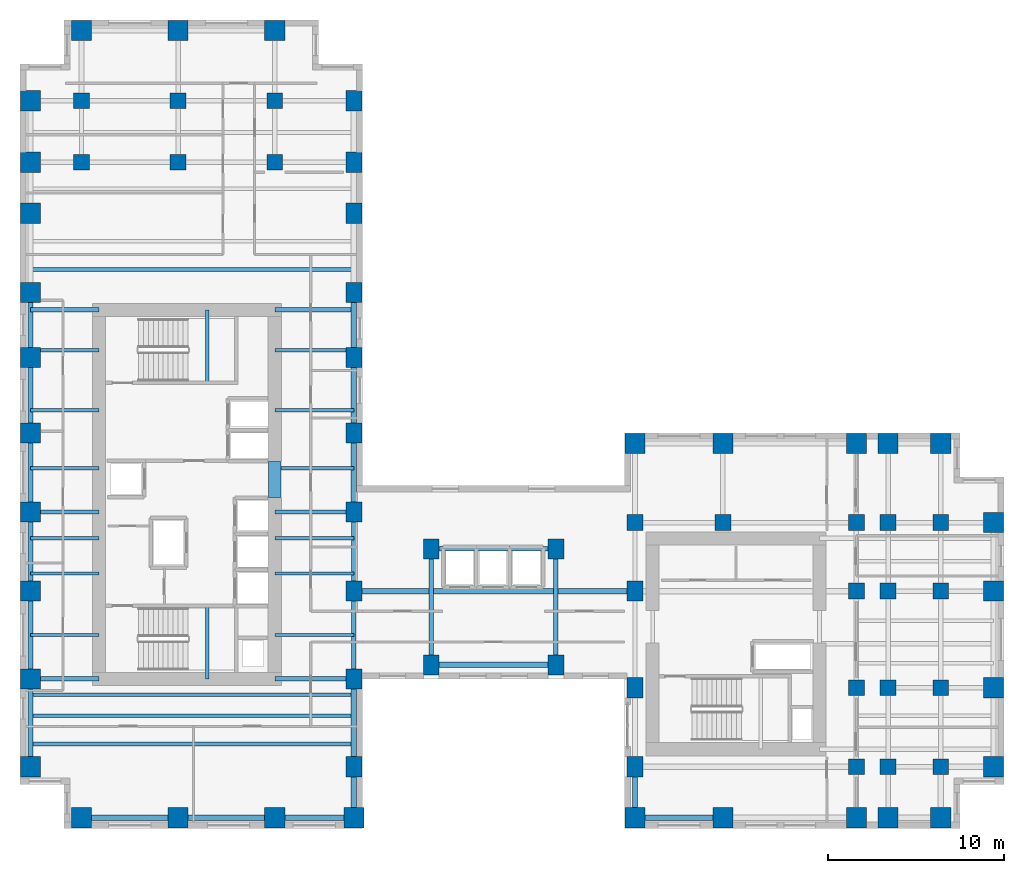
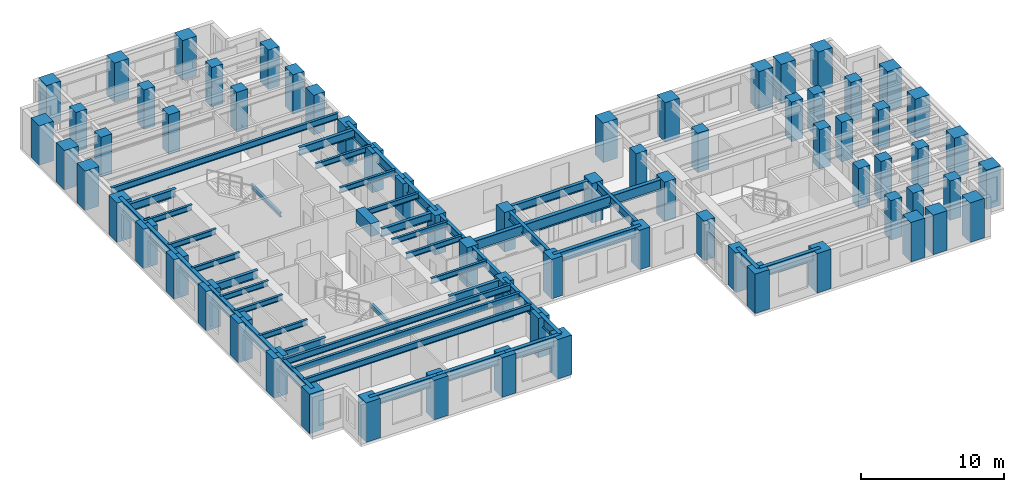
# One storey, part 1 of 12: 68 columns, 48 beams.
"""IFC4 building model written with IfcOpenShell, lengths in metres."""

import ifcopenshell
import ifcopenshell.guid

model = None  # the IFC model being written
_history = None  # IfcOwnerHistory: only IFC2X3 demands one
_inside = {}  # id of a spatial element -> (the spatial element, [elements in it])
_under = {}  # id of a project, library or spatial element -> (it, [spatial elements below it])
_declared = {}  # id of a project -> (the project, [libraries it declares])
_typed = {}  # id of a type object -> (the type object, [elements of that type])
_made_of = {}  # id of a material, layer set ... -> (it, [elements and type objects made of it])


def new_model(schema):
    """Start an empty IFC model of exactly this schema.

    Asked for "IFC4X3", IfcOpenShell would pick the latest addendum, in which some entities
    have other attributes; the version numbers below select the first issue.
    IFC2X3 requires an IfcOwnerHistory on every rooted entity: one is made here for all.
    """
    global model, _history
    if schema == "IFC4X3":
        model = ifcopenshell.file(schema_version=(4, 3, 0, 0))
    else:
        model = ifcopenshell.file(schema=schema)
    _inside.clear()
    _under.clear()
    _declared.clear()
    _typed.clear()
    _made_of.clear()
    _history = None
    if model.schema == "IFC2X3":
        org = make("IfcOrganization", Name="unknown")
        user = make(
            "IfcPersonAndOrganization",
            ThePerson=make("IfcPerson", FamilyName="unknown"),
            TheOrganization=org,
        )
        app = make(
            "IfcApplication",
            ApplicationDeveloper=org,
            Version="unknown",
            ApplicationFullName="unknown",
            ApplicationIdentifier="unknown",
        )
        _history = make(
            "IfcOwnerHistory",
            OwningUser=user,
            OwningApplication=app,
            ChangeAction="ADDED",
            CreationDate=0,
        )
    return model


def make(cls, **values):
    """One entity of the class cls with the attributes given. An attribute that is None is left unset."""
    return model.create_entity(
        cls, **{name: value for name, value in values.items() if value is not None}
    )


def rooted(cls, **values):
    """An entity with a GlobalId (a new one), such as an element, a storey or a relation."""
    return make(cls, GlobalId=ifcopenshell.guid.new(), OwnerHistory=_history, **values)


def si_unit(unit_type, name, prefix=None):
    """IfcSIUnit, for example si_unit("LENGTHUNIT", "METRE", prefix="MILLI")."""
    return make("IfcSIUnit", UnitType=unit_type, Prefix=prefix, Name=name)


def assignment(units):
    """IfcUnitAssignment: the units of a project."""
    return None if units is None else make("IfcUnitAssignment", Units=units)


def point(xyz):
    """IfcCartesianPoint."""
    return None if xyz is None else make("IfcCartesianPoint", Coordinates=xyz)


def direction(xyz):
    """IfcDirection."""
    return None if xyz is None else make("IfcDirection", DirectionRatios=xyz)


def frame(location, z_axis=None, x_axis=None):
    """IfcAxis2Placement3D, a coordinate frame: its origin and axes. An axis left out is left unset."""
    return make(
        "IfcAxis2Placement3D",
        Location=point(location),
        Axis=direction(z_axis),
        RefDirection=direction(x_axis),
    )


def frame_2d(location, x_axis=None):
    """IfcAxis2Placement2D, a coordinate frame in the plane: its origin and x axis."""
    return make(
        "IfcAxis2Placement2D", Location=point(location), RefDirection=direction(x_axis)
    )


def origin():
    """The frame at (0, 0, 0) with its axes left unset."""
    return frame((0.0, 0.0, 0.0))


def origin_2d():
    """The frame at (0, 0) in the plane with its x axis left unset."""
    return frame_2d((0.0, 0.0))


def place(relative_to, where):
    """IfcLocalPlacement: puts the frame where relative to a parent placement (None: the world)."""
    return make(
        "IfcLocalPlacement", PlacementRelTo=relative_to, RelativePlacement=where
    )


def context(
    kind, dimensions, precision=None, world=None, true_north=None, identifier=None
):
    """IfcGeometricRepresentationContext, for example the 3D "Model" context."""
    return make(
        "IfcGeometricRepresentationContext",
        ContextIdentifier=identifier,
        ContextType=kind,
        CoordinateSpaceDimension=dimensions,
        Precision=precision,
        WorldCoordinateSystem=world,
        TrueNorth=true_north,
    )


def subcontext(parent, identifier, kind, view, scale=None):
    """IfcGeometricRepresentationSubContext, for example "Body" below "Model"."""
    return make(
        "IfcGeometricRepresentationSubContext",
        ContextIdentifier=identifier,
        ContextType=kind,
        ParentContext=parent,
        TargetScale=scale,
        TargetView=view,
    )


def project(units=None, contexts=None):
    """IfcProject with its units and contexts."""
    return rooted(
        "IfcProject",
        Name="project",
        RepresentationContexts=contexts,
        UnitsInContext=assignment(units),
    )


def spatial(cls, under=None, at=None, **own):
    """A site, building, storey or space (cls), placed at a placement, below another one or the project."""
    s = rooted(cls, ObjectPlacement=at, **own)
    if under is not None:
        _under.setdefault(under.id(), (under, []))[1].append(s)
    return s


def profile(cls, at=None, kind="AREA", **sizes):
    """A parametric profile (cls). Its sizes go by their IFC names, for example OverallWidth=200.0."""
    return make(cls, ProfileType=kind, Position=at, **sizes)


def rectangle(**sizes):
    """IfcRectangleProfileDef."""
    return profile("IfcRectangleProfileDef", **sizes)


def i_section(**sizes):
    """IfcIShapeProfileDef."""
    return profile("IfcIShapeProfileDef", **sizes)


def extrude(swept, where, along, depth):
    """IfcExtrudedAreaSolid: the profile swept, set in the frame where, extruded along a direction by depth."""
    return make(
        "IfcExtrudedAreaSolid",
        SweptArea=swept,
        Position=where,
        ExtrudedDirection=direction(along),
        Depth=depth,
    )


def shape(context_of_items, identifier, shape_type, items):
    """IfcShapeRepresentation: the items that make up one representation, for example the "Body"."""
    return make(
        "IfcShapeRepresentation",
        ContextOfItems=context_of_items,
        RepresentationIdentifier=identifier,
        RepresentationType=shape_type,
        Items=items,
    )


def source(mapping_origin, context_of_items, identifier, shape_type, items):
    """IfcRepresentationMap: a shape defined once, which mapped items show again and again."""
    return make(
        "IfcRepresentationMap",
        MappingOrigin=mapping_origin,
        MappedRepresentation=shape(context_of_items, identifier, shape_type, items),
    )


def transform(
    local_origin,
    x_axis=None,
    y_axis=None,
    z_axis=None,
    scale=None,
    scale2=None,
    scale3=None,
    uniform=True,
):
    """IfcCartesianTransformationOperator3D, or its non-uniform kind. x_axis, y_axis, z_axis: its Axis1, 2, 3."""
    if uniform:
        return make(
            "IfcCartesianTransformationOperator3D",
            Axis1=direction(x_axis),
            Axis2=direction(y_axis),
            LocalOrigin=point(local_origin),
            Scale=scale,
            Axis3=direction(z_axis),
        )
    return make(
        "IfcCartesianTransformationOperator3DnonUniform",
        Axis1=direction(x_axis),
        Axis2=direction(y_axis),
        LocalOrigin=point(local_origin),
        Scale=scale,
        Axis3=direction(z_axis),
        Scale2=scale2,
        Scale3=scale3,
    )


def mapped(mapping_source, mapping_target):
    """IfcMappedItem: shows the shape of a source again, moved by a transform."""
    return make(
        "IfcMappedItem", MappingSource=mapping_source, MappingTarget=mapping_target
    )


def material(Name=None, Category=None):
    """IfcMaterial."""
    return make("IfcMaterial", Name=Name, Category=Category)


def material_profile(
    of_material, cross_section, Name=None, Category=None, Priority=None
):
    """IfcMaterialProfile: a cross section and its material."""
    return make(
        "IfcMaterialProfile",
        Name=Name,
        Material=of_material,
        Profile=cross_section,
        Priority=Priority,
        Category=Category,
    )


def profile_set(profiles, Name=None, composite=None):
    """IfcMaterialProfileSet."""
    return make(
        "IfcMaterialProfileSet",
        Name=Name,
        MaterialProfiles=profiles,
        CompositeProfile=composite,
    )


def made_of(thing, what):
    """Note that an element or type object is made of a material, layer set ...; save() writes the relation."""
    if what is not None:
        _made_of.setdefault(what.id(), (what, []))[1].append(thing)
    return thing


def type_object(cls, material=None, **own):
    """A type object (cls), such as IfcWallType, which elements share."""
    return made_of(rooted(cls, **own), material)


def element(
    cls,
    number,
    at=None,
    inside=None,
    cuts=None,
    type_object=None,
    material=None,
    context=None,
    identifier="Body",
    shape_type=None,
    held_by="IfcProductDefinitionShape",
    body=None,
    shapes=None,
    **own,
):
    """One element of the class cls, such as IfcWall. Its Tag is "e" and its number.

    at: its placement. inside: the storey or other place that contains it. cuts: it is an
    opening in that element (IfcRelVoidsElement). A single representation is given by context,
    identifier, shape_type and body (its items); several are given by shapes. held_by: the class
    of the entity that holds the representations. save() writes the other relations.
    """
    e = rooted(cls, Tag="e%d" % number, ObjectPlacement=at, **own)
    if body is not None:
        shapes = [shape(context, identifier, shape_type, body)]
    if shapes is not None:
        e.Representation = make(held_by, Representations=shapes)
    if inside is not None:
        _inside.setdefault(inside.id(), (inside, []))[1].append(e)
    if cuts is not None:
        rooted(
            "IfcRelVoidsElement", RelatingBuildingElement=cuts, RelatedOpeningElement=e
        )
    if type_object is not None:
        _typed.setdefault(type_object.id(), (type_object, []))[1].append(e)
    return made_of(e, material)


def aggregate(whole, parts):
    """IfcRelAggregates: a whole, such as a stair, and the parts it consists of."""
    return rooted("IfcRelAggregates", RelatingObject=whole, RelatedObjects=parts)


def save(model, path):
    """Write the relations noted so far, then the file.

    IfcRelAggregates (storeys below a building ...), IfcRelContainedInSpatialStructure (elements
    in a storey), IfcRelDefinesByType, IfcRelAssociatesMaterial and IfcRelDeclares: one each for
    every whole, place, type object, material and project.
    """
    for whole, parts in _under.values():
        aggregate(whole, parts)
    for where, things in _inside.values():
        rooted(
            "IfcRelContainedInSpatialStructure",
            RelatedElements=things,
            RelatingStructure=where,
        )
    for kind, things in _typed.values():
        rooted("IfcRelDefinesByType", RelatedObjects=things, RelatingType=kind)
    for what, things in _made_of.values():
        rooted("IfcRelAssociatesMaterial", RelatedObjects=things, RelatingMaterial=what)
    for by, libraries in _declared.values():
        rooted("IfcRelDeclares", RelatingContext=by, RelatedDefinitions=libraries)
    model.write(path)


model = new_model("IFC4")

# Units and contexts
model_context = context("Model", 3, precision=1e-05, world=origin(), true_north=direction((0.0, 1.0)))
body_context = subcontext(model_context, "Body", "Model", "MODEL_VIEW")
ifc_project = project(units=[si_unit("LENGTHUNIT", "METRE"), si_unit("AREAUNIT", "SQUARE_METRE"), si_unit("VOLUMEUNIT", "CUBIC_METRE"), si_unit("PLANEANGLEUNIT", "RADIAN"), si_unit("MASSUNIT", "GRAM", prefix="KILO")], contexts=[model_context])

# Site, building, storey
site_placement = place(None, origin())
site = spatial("IfcSite", under=ifc_project, at=site_placement, CompositionType="ELEMENT")
building_placement = place(site_placement, origin())
building = spatial("IfcBuilding", under=site, at=building_placement, Name="Kharzan Plaza Tower", CompositionType="ELEMENT")
storey_placement = place(building_placement, frame((0.0, 0.0, 117.0)))
storey = spatial("IfcBuildingStorey", under=building, at=storey_placement, Name="L31", CompositionType="ELEMENT", Elevation=117.0)

# Columns
ifc_material_1 = material(Name="Concrete C50/60", Category="concrete")
ifc_material_profile_1 = material_profile(ifc_material_1, rectangle(XDim=0.89990234375, YDim=0.89990234375, at=origin_2d()), Name="RC-IC900x900")
ifc_profile_set_1 = profile_set([ifc_material_profile_1], Name="Concrete C50/60")
column_type_1 = type_object("IfcColumnType", Name="COL-IC900", PredefinedType="COLUMN", material=ifc_profile_set_1)
shared_shape_1 = source(origin(), body_context, "Body", "SweptSolid", [
    extrude(rectangle(XDim=0.89990234375, YDim=0.89990234375, at=origin_2d()), origin(), (0.0, 0.0, 1.0), 3.3798828125),
])
for number, where, z_axis, x_axis, name in (
    (1, (47.60009765625, 13.5, 0.0), (0.0, 0.0, 1.0), (1.0, 0.0, 0.0), "L31 Structural Column TCBI-135"),
    (2, (47.60009765625, 3.5, 0.0), (0.0, 0.0, 1.0), (1.0, 0.0, 0.0), "L31 Structural Column TCBI-35"),
    (3, (47.60009765625, 8.0, 0.0), (0.0, 0.0, 1.0), (1.0, 0.0, 0.0), "L31 Structural Column TCBI-80"),
    (4, (35.0, 17.39990234375, 0.0), (0.0, 0.0, 1.0), (1.0, 0.0, 0.0), "L31 Structural Column TCBN-350-174"),
    (5, (40.0, 17.39990234375, 0.0), (0.0, 0.0, 1.0), (1.0, 0.0, 0.0), "L31 Structural Column TCBN-400-174"),
    (6, (47.60009765625, 17.39990234375, 0.0), (0.0, 0.0, 1.0), (1.0, 0.0, 0.0), "L31 Structural Column TCBN-476-174"),
    (7, (49.39990234375, 13.5, 0.0), (0.0, 0.0, 1.0), (1.0, 0.0, 0.0), "L31 Structural Column TCE-494-135"),
    (8, (49.39990234375, 17.39990234375, 0.0), (0.0, 0.0, 1.0), (1.0, 0.0, 0.0), "L31 Structural Column TCE-494-174"),
    (9, (49.39990234375, 3.5, 0.0), (0.0, 0.0, 1.0), (1.0, 0.0, 0.0), "L31 Structural Column TCE-494-35"),
    (10, (49.39990234375, 8.0, 0.0), (0.0, 0.0, 1.0), (1.0, 0.0, 0.0), "L31 Structural Column TCE-494-80"),
    (11, (52.39990234375, 13.5, 0.0), (0.0, 0.0, 1.0), (1.0, 0.0, 0.0), "L31 Structural Column TCE-524-135"),
    (12, (52.39990234375, 17.39990234375, 0.0), (0.0, 0.0, 1.0), (1.0, 0.0, 0.0), "L31 Structural Column TCE-524-174"),
    (13, (52.39990234375, 3.5, 0.0), (0.0, 0.0, 1.0), (1.0, 0.0, 0.0), "L31 Structural Column TCE-524-35"),
    (14, (52.39990234375, 8.0, 0.0), (0.0, 0.0, 1.0), (1.0, 0.0, 0.0), "L31 Structural Column TCE-524-80"),
    (15, (14.5, 37.89990234375, 0.0), (0.0, 0.0, 1.0), (1.0, 0.0, 0.0), "L31 Structural Column TCN-145-379"),
    (16, (14.5, 41.39990234375, 0.0), (0.0, 0.0, 1.0), (1.0, 0.0, 0.0), "L31 Structural Column TCN-145-414"),
    (17, (3.5, 37.89990234375, 0.0), (0.0, 0.0, 1.0), (1.0, 0.0, 0.0), "L31 Structural Column TCN-35-379"),
    (18, (3.5, 41.39990234375, 0.0), (0.0, 0.0, 1.0), (1.0, 0.0, 0.0), "L31 Structural Column TCN-35-414"),
    (19, (9.0, 37.89990234375, 0.0), (0.0, 0.0, 1.0), (1.0, 0.0, 0.0), "L31 Structural Column TCN-90-379"),
    (20, (9.0, 41.39990234375, 0.0), (0.0, 0.0, 1.0), (1.0, 0.0, 0.0), "L31 Structural Column TCN-90-414"),
):
    element("IfcColumn", number, at=place(storey_placement, frame(where, z_axis=z_axis, x_axis=x_axis)), inside=storey, type_object=column_type_1, Name=name, PredefinedType="COLUMN", context=body_context, shape_type="MappedRepresentation", body=[
        mapped(shared_shape_1, transform((0.0, 0.0, 0.0), x_axis=(1.0, 0.0, 0.0), y_axis=(0.0, 1.0, 0.0), z_axis=(0.0, 0.0, 1.0))),
    ])
ifc_material_2 = material(Name="Concrete C60/75", Category="concrete")
ifc_material_profile_2 = material_profile(ifc_material_2, rectangle(XDim=0.89990234375, YDim=1.14990234375, at=origin_2d()), Name="RC-SC1150x900")
ifc_profile_set_2 = profile_set([ifc_material_profile_2], Name="Concrete C60/75")
column_type_2 = type_object("IfcColumnType", Name="COL-SC1150", PredefinedType="COLUMN", material=ifc_profile_set_2)
shared_shape_2 = source(origin(), body_context, "Body", "SweptSolid", [
    extrude(rectangle(XDim=0.89990234375, YDim=1.14990234375, at=origin_2d()), origin(), (0.0, 0.0, 1.0), 3.3798828125),
])
for number, where, z_axis, x_axis, name in (
    (21, (19.0, 13.5, 0.0), (0.0, 0.0, 1.0), (1.0, 0.0, 0.0), "L31 Structural Column TCA-135"),
    (22, (19.0, 18.0, 0.0), (0.0, 0.0, 1.0), (1.0, 0.0, 0.0), "L31 Structural Column TCA-180"),
    (23, (19.0, 22.5, 0.0), (0.0, 0.0, 1.0), (1.0, 0.0, 0.0), "L31 Structural Column TCA-225"),
    (24, (19.0, 26.800048828125, 0.0), (0.0, 0.0, 1.0), (1.0, 0.0, 0.0), "L31 Structural Column TCA-268"),
    (25, (19.0, 30.5, 0.0), (0.0, 0.0, 1.0), (1.0, 0.0, 0.0), "L31 Structural Column TCA-305"),
    (26, (19.0, 3.5, 0.0), (0.0, 0.0, 1.0), (1.0, 0.0, 0.0), "L31 Structural Column TCA-35"),
    (27, (19.0, 35.0, 0.0), (0.0, 0.0, 1.0), (1.0, 0.0, 0.0), "L31 Structural Column TCA-350"),
    (28, (19.0, 37.89990234375, 0.0), (0.0, 0.0, 1.0), (1.0, 0.0, 0.0), "L31 Structural Column TCA-379"),
    (29, (19.0, 41.39990234375, 0.0), (0.0, 0.0, 1.0), (1.0, 0.0, 0.0), "L31 Structural Column TCA-414"),
    (30, (19.0, 8.5, 0.0), (0.0, 0.0, 1.0), (1.0, 0.0, 0.0), "L31 Structural Column TCA-85"),
    (31, (35.0, 13.5, 0.0), (0.0, 0.0, 1.0), (1.0, 0.0, 0.0), "L31 Structural Column TCBS-135"),
    (32, (35.0, 3.5, 0.0), (0.0, 0.0, 1.0), (1.0, 0.0, 0.0), "L31 Structural Column TCBS-35"),
    (33, (35.0, 8.0, 0.0), (0.0, 0.0, 1.0), (1.0, 0.0, 0.0), "L31 Structural Column TCBS-80"),
    (34, (23.39990234375, 15.89990234375, 0.0), (0.0, 0.0, 1.0), (1.0, 0.0, 0.0), "L31 Structural Column TCSP-234-159"),
    (35, (23.39990234375, 9.300048828125, 0.0), (0.0, 0.0, 1.0), (1.0, 0.0, 0.0), "L31 Structural Column TCSP-234-93"),
    (36, (30.5, 15.89990234375, 0.0), (0.0, 0.0, 1.0), (1.0, 0.0, 0.0), "L31 Structural Column TCSP-305-159"),
    (37, (30.5, 9.300048828125, 0.0), (0.0, 0.0, 1.0), (1.0, 0.0, 0.0), "L31 Structural Column TCSP-305-93"),
):
    element("IfcColumn", number, at=place(storey_placement, frame(where, z_axis=z_axis, x_axis=x_axis)), inside=storey, type_object=column_type_2, Name=name, PredefinedType="COLUMN", context=body_context, shape_type="MappedRepresentation", body=[
        mapped(shared_shape_2, transform((0.0, 0.0, 0.0), x_axis=(1.0, 0.0, 0.0), y_axis=(0.0, 1.0, 0.0), z_axis=(0.0, 0.0, 1.0))),
    ])
ifc_material_profile_3 = material_profile(ifc_material_2, rectangle(XDim=1.14990234375, YDim=1.14990234375, at=origin_2d()), Name="RC-TC1150x1150")
ifc_profile_set_3 = profile_set([ifc_material_profile_3], Name="Concrete C60/75")
column_type_3 = type_object("IfcColumnType", Name="COL-TC1150", PredefinedType="COLUMN", material=ifc_profile_set_3)
shared_shape_3 = source(origin(), body_context, "Body", "SweptSolid", [
    extrude(rectangle(XDim=1.14990234375, YDim=1.14990234375, at=origin_2d()), origin(), (0.0, 0.0, 1.0), 3.3798828125),
])
for number, where, z_axis, x_axis, name in (
    (38, (35.0, 21.89990234375, 0.0), (0.0, 0.0, 1.0), (1.0, 0.0, 0.0), "L31 Structural Column TCBN-350-219"),
    (39, (40.0, 21.89990234375, 0.0), (0.0, 0.0, 1.0), (1.0, 0.0, 0.0), "L31 Structural Column TCBN-400-219"),
    (40, (47.60009765625, 21.89990234375, 0.0), (0.0, 0.0, 1.0), (1.0, 0.0, 0.0), "L31 Structural Column TCBN-476-219"),
    (41, (49.39990234375, 21.89990234375, 0.0), (0.0, 0.0, 1.0), (1.0, 0.0, 0.0), "L31 Structural Column TCBN-494-219"),
    (42, (52.39990234375, 21.89990234375, 0.0), (0.0, 0.0, 1.0), (1.0, 0.0, 0.0), "L31 Structural Column TCBN-524-219"),
    (43, (55.39990234375, 13.5, 0.0), (0.0, 0.0, 1.0), (1.0, 0.0, 0.0), "L31 Structural Column TCE-554-135"),
    (44, (55.39990234375, 17.39990234375, 0.0), (0.0, 0.0, 1.0), (1.0, 0.0, 0.0), "L31 Structural Column TCE-554-174"),
    (45, (55.39990234375, 3.5, 0.0), (0.0, 0.0, 1.0), (1.0, 0.0, 0.0), "L31 Structural Column TCE-554-35"),
    (46, (55.39990234375, 8.0, 0.0), (0.0, 0.0, 1.0), (1.0, 0.0, 0.0), "L31 Structural Column TCE-554-80"),
    (47, (14.5, 45.39990234375, 0.0), (0.0, 0.0, 1.0), (1.0, 0.0, 0.0), "L31 Structural Column TCN-145-454"),
    (48, (3.5, 45.39990234375, 0.0), (0.0, 0.0, 1.0), (1.0, 0.0, 0.0), "L31 Structural Column TCN-35-454"),
    (49, (9.0, 45.39990234375, 0.0), (0.0, 0.0, 1.0), (1.0, 0.0, 0.0), "L31 Structural Column TCN-90-454"),
    (50, (14.5, 0.60009765625, 0.0), (0.0, 0.0, 1.0), (1.0, 0.0, 0.0), "L31 Structural Column TCS-145"),
    (51, (19.0, 0.60009765625, 0.0), (0.0, 0.0, 1.0), (1.0, 0.0, 0.0), "L31 Structural Column TCS-190"),
    (52, (3.5, 0.60009765625, 0.0), (0.0, 0.0, 1.0), (1.0, 0.0, 0.0), "L31 Structural Column TCS-35"),
    (53, (35.0, 0.60009765625, 0.0), (0.0, 0.0, 1.0), (1.0, 0.0, 0.0), "L31 Structural Column TCS-350"),
    (54, (40.0, 0.60009765625, 0.0), (0.0, 0.0, 1.0), (1.0, 0.0, 0.0), "L31 Structural Column TCS-400"),
    (55, (47.60009765625, 0.60009765625, 0.0), (0.0, 0.0, 1.0), (1.0, 0.0, 0.0), "L31 Structural Column TCS-476"),
    (56, (49.39990234375, 0.60009765625, 0.0), (0.0, 0.0, 1.0), (1.0, 0.0, 0.0), "L31 Structural Column TCS-494"),
    (57, (52.39990234375, 0.60009765625, 0.0), (0.0, 0.0, 1.0), (1.0, 0.0, 0.0), "L31 Structural Column TCS-524"),
    (58, (9.0, 0.60009765625, 0.0), (0.0, 0.0, 1.0), (1.0, 0.0, 0.0), "L31 Structural Column TCS-90"),
    (59, (0.60009765625, 13.5, 0.0), (0.0, 0.0, 1.0), (1.0, 0.0, 0.0), "L31 Structural Column TCW-135"),
    (60, (0.60009765625, 18.0, 0.0), (0.0, 0.0, 1.0), (1.0, 0.0, 0.0), "L31 Structural Column TCW-180"),
    (61, (0.60009765625, 22.5, 0.0), (0.0, 0.0, 1.0), (1.0, 0.0, 0.0), "L31 Structural Column TCW-225"),
    (62, (0.60009765625, 26.800048828125, 0.0), (0.0, 0.0, 1.0), (1.0, 0.0, 0.0), "L31 Structural Column TCW-268"),
    (63, (0.60009765625, 30.5, 0.0), (0.0, 0.0, 1.0), (1.0, 0.0, 0.0), "L31 Structural Column TCW-305"),
    (64, (0.60009765625, 3.5, 0.0), (0.0, 0.0, 1.0), (1.0, 0.0, 0.0), "L31 Structural Column TCW-35"),
    (65, (0.60009765625, 35.0, 0.0), (0.0, 0.0, 1.0), (1.0, 0.0, 0.0), "L31 Structural Column TCW-350"),
    (66, (0.60009765625, 37.89990234375, 0.0), (0.0, 0.0, 1.0), (1.0, 0.0, 0.0), "L31 Structural Column TCW-379"),
    (67, (0.60009765625, 41.39990234375, 0.0), (0.0, 0.0, 1.0), (1.0, 0.0, 0.0), "L31 Structural Column TCW-414"),
    (68, (0.60009765625, 8.5, 0.0), (0.0, 0.0, 1.0), (1.0, 0.0, 0.0), "L31 Structural Column TCW-85"),
):
    element("IfcColumn", number, at=place(storey_placement, frame(where, z_axis=z_axis, x_axis=x_axis)), inside=storey, type_object=column_type_3, Name=name, PredefinedType="COLUMN", context=body_context, shape_type="MappedRepresentation", body=[
        mapped(shared_shape_3, transform((0.0, 0.0, 0.0), x_axis=(1.0, 0.0, 0.0), y_axis=(0.0, 1.0, 0.0), z_axis=(0.0, 0.0, 1.0))),
    ])

# Beams
ifc_material_profile_4 = material_profile(ifc_material_2, rectangle(XDim=0.699951171875, YDim=1.10009765625, at=origin_2d()), Name="RC-CB1100x700")
ifc_profile_set_4 = profile_set([ifc_material_profile_4], Name="Concrete C60/75")
beam_type_1 = type_object("IfcBeamType", Name="BM-RCCB1100", PredefinedType="LINTEL", material=ifc_profile_set_4)
shared_shape_4 = source(origin(), body_context, "Body", "SweptSolid", [
    extrude(rectangle(XDim=0.699951171875, YDim=1.10009765625, at=origin_2d()), origin(), (0.0, 0.0, 1.0), 2.059814453125),
])
beam_1_placement = place(storey_placement, frame((14.5, 18.820068359375, 2.830078125), z_axis=(0.0, 1.0, 0.0), x_axis=(-1.0, 0.0, 0.0)))
element("IfcBeam", 69, at=beam_1_placement, inside=storey, type_object=beam_type_1, Name="L31 CORE-A RC coupling beam CB1", PredefinedType="LINTEL", context=body_context, shape_type="MappedRepresentation", body=[
    mapped(shared_shape_4, transform((0.0, 0.0, 0.0), x_axis=(1.0, 0.0, 0.0), y_axis=(0.0, 1.0, 0.0), z_axis=(0.0, 0.0, 1.0))),
])
ifc_material_3 = material(Name="Steel S355", Category="steel")
ifc_material_profile_5 = material_profile(ifc_material_3, i_section(OverallWidth=0.205078125, OverallDepth=0.35400390625, WebThickness=0.009521484375, FlangeThickness=0.016845703125, at=origin_2d()), Name="W360x79")
ifc_profile_set_5 = profile_set([ifc_material_profile_5], Name="Steel S355")
beam_type_2 = type_object("IfcBeamType", Name="BM-LNT360", PredefinedType="LINTEL", material=ifc_profile_set_5)
shared_shape_5 = source(origin(), body_context, "Body", "SweptSolid", [
    extrude(i_section(OverallWidth=0.205078125, OverallDepth=0.35400390625, WebThickness=0.009521484375, FlangeThickness=0.016845703125, at=origin_2d()), origin(), (0.0, 0.0, 1.0), 4.155029296875),
])
for number, where, z_axis, x_axis, name in (
    (70, (10.64990234375, 8.5, 1.423095703125), (0.0, 1.0, 0.0), (-1.0, 0.0, 0.0), "L31 Stair ST-1 Half-Landing Beam"),
    (71, (10.64990234375, 25.344970703125, 1.423095703125), (0.0, 1.0, 0.0), (-1.0, 0.0, 0.0), "L31 Stair ST-2 Half-Landing Beam"),
):
    element("IfcBeam", number, at=place(storey_placement, frame(where, z_axis=z_axis, x_axis=x_axis)), inside=storey, type_object=beam_type_2, Name=name, PredefinedType="LINTEL", context=body_context, shape_type="MappedRepresentation", body=[
        mapped(shared_shape_5, transform((0.0, 0.0, 0.0), x_axis=(1.0, 0.0, 0.0), y_axis=(0.0, 1.0, 0.0), z_axis=(0.0, 0.0, 1.0))),
    ])
ifc_material_profile_6 = material_profile(ifc_material_3, i_section(OverallWidth=0.304931640625, OverallDepth=0.9189453125, WebThickness=0.017333984375, FlangeThickness=0.02783203125, at=origin_2d()), Name="W920x253")
ifc_profile_set_6 = profile_set([ifc_material_profile_6], Name="Steel S355")
beam_type_3 = type_object("IfcBeamType", Name="BM-FG920B", PredefinedType="BEAM", material=ifc_profile_set_6)
shared_shape_6 = source(origin(), body_context, "Body", "SweptSolid", [
    extrude(i_section(OverallWidth=0.304931640625, OverallDepth=0.9189453125, WebThickness=0.017333984375, FlangeThickness=0.02783203125, at=origin_2d()), origin(), (0.0, 0.0, 1.0), 16.0),
])
beam_2_placement = place(storey_placement, frame((19.0, 13.5, 2.92041015625), z_axis=(1.0, 0.0, 0.0), x_axis=(0.0, 1.0, 0.0)))
element("IfcBeam", 72, at=beam_2_placement, inside=storey, type_object=beam_type_3, Name="L31 Primary Floor Girder", PredefinedType="BEAM", context=body_context, shape_type="MappedRepresentation", body=[
    mapped(shared_shape_6, transform((0.0, 0.0, 0.0), x_axis=(1.0, 0.0, 0.0), y_axis=(0.0, 1.0, 0.0), z_axis=(0.0, 0.0, 1.0))),
])
ifc_material_profile_7 = material_profile(ifc_material_3, i_section(OverallWidth=0.2099609375, OverallDepth=0.537109375, WebThickness=0.010986328125, FlangeThickness=0.017333984375, at=origin_2d()), Name="W530x101")
ifc_profile_set_7 = profile_set([ifc_material_profile_7], Name="Steel S355")
beam_type_4 = type_object("IfcBeamType", Name="BM-JST530B", PredefinedType="JOIST", material=ifc_profile_set_7)
shared_shape_7 = source(origin(), body_context, "Body", "SweptSolid", [
    extrude(i_section(OverallWidth=0.2099609375, OverallDepth=0.537109375, WebThickness=0.010986328125, FlangeThickness=0.017333984375, at=origin_2d()), origin(), (0.0, 0.0, 1.0), 18.39990234375),
])
for number, where, z_axis, x_axis, name in (
    (73, (0.60009765625, 4.800048828125, 3.111572265625), (1.0, 0.0, 0.0), (0.0, 1.0, 0.0), "L31 Wing A Composite Joist 01"),
    (74, (0.60009765625, 6.39990234375, 3.111572265625), (1.0, 0.0, 0.0), (0.0, 1.0, 0.0), "L31 Wing A Composite Joist 02"),
    (75, (0.60009765625, 7.60009765625, 3.111572265625), (1.0, 0.0, 0.0), (0.0, 1.0, 0.0), "L31 Wing A Composite Joist 03"),
    (76, (0.60009765625, 31.800048828125, 3.111572265625), (1.0, 0.0, 0.0), (0.0, 1.0, 0.0), "L31 Wing A Composite Joist 04"),
):
    element("IfcBeam", number, at=place(storey_placement, frame(where, z_axis=z_axis, x_axis=x_axis)), inside=storey, type_object=beam_type_4, Name=name, PredefinedType="JOIST", context=body_context, shape_type="MappedRepresentation", body=[
        mapped(shared_shape_7, transform((0.0, 0.0, 0.0), x_axis=(1.0, 0.0, 0.0), y_axis=(0.0, 1.0, 0.0), z_axis=(0.0, 0.0, 1.0))),
    ])
ifc_material_profile_8 = material_profile(ifc_material_3, i_section(OverallWidth=0.194091796875, OverallDepth=0.468994140625, WebThickness=0.011474609375, FlangeThickness=0.0205078125, at=origin_2d()), Name="W460x106")
ifc_profile_set_8 = profile_set([ifc_material_profile_8], Name="Steel S355")
beam_type_5 = type_object("IfcBeamType", Name="BM-JST460", PredefinedType="JOIST", material=ifc_profile_set_8)
shared_shape_8 = source(origin(), body_context, "Body", "SweptSolid", [
    extrude(i_section(OverallWidth=0.194091796875, OverallDepth=0.468994140625, WebThickness=0.011474609375, FlangeThickness=0.0205078125, at=origin_2d()), origin(), (0.0, 0.0, 1.0), 4.5),
])
for number, where, z_axis, x_axis, name in (
    (77, (14.5, 11.0, 3.1455078125), (1.0, 0.0, 0.0), (0.0, 1.0, 0.0), "L31 Wing A East Infill Joist 1"),
    (78, (14.5, 14.5, 3.1455078125), (1.0, 0.0, 0.0), (0.0, 1.0, 0.0), "L31 Wing A East Infill Joist 2"),
    (79, (14.5, 16.5, 3.1455078125), (1.0, 0.0, 0.0), (0.0, 1.0, 0.0), "L31 Wing A East Infill Joist 3"),
    (80, (14.5, 20.5, 3.1455078125), (1.0, 0.0, 0.0), (0.0, 1.0, 0.0), "L31 Wing A East Infill Joist 4"),
    (81, (14.5, 23.800048828125, 3.1455078125), (1.0, 0.0, 0.0), (0.0, 1.0, 0.0), "L31 Wing A East Infill Joist 5"),
    (82, (14.5, 27.199951171875, 3.1455078125), (1.0, 0.0, 0.0), (0.0, 1.0, 0.0), "L31 Wing A East Infill Joist 6"),
):
    element("IfcBeam", number, at=place(storey_placement, frame(where, z_axis=z_axis, x_axis=x_axis)), inside=storey, type_object=beam_type_5, Name=name, PredefinedType="JOIST", context=body_context, shape_type="MappedRepresentation", body=[
        mapped(shared_shape_8, transform((0.0, 0.0, 0.0), x_axis=(1.0, 0.0, 0.0), y_axis=(0.0, 1.0, 0.0), z_axis=(0.0, 0.0, 1.0))),
    ])
shared_shape_9 = source(origin(), body_context, "Body", "SweptSolid", [
    extrude(i_section(OverallWidth=0.194091796875, OverallDepth=0.468994140625, WebThickness=0.011474609375, FlangeThickness=0.0205078125, at=origin_2d()), origin(), (0.0, 0.0, 1.0), 3.89990234375),
])
for number, where, z_axis, x_axis, name in (
    (83, (0.60009765625, 11.0, 3.1455078125), (1.0, 0.0, 0.0), (0.0, 1.0, 0.0), "L31 Wing A West Infill Joist 1"),
    (84, (0.60009765625, 14.5, 3.1455078125), (1.0, 0.0, 0.0), (0.0, 1.0, 0.0), "L31 Wing A West Infill Joist 2"),
    (85, (0.60009765625, 16.5, 3.1455078125), (1.0, 0.0, 0.0), (0.0, 1.0, 0.0), "L31 Wing A West Infill Joist 3"),
    (86, (0.60009765625, 20.5, 3.1455078125), (1.0, 0.0, 0.0), (0.0, 1.0, 0.0), "L31 Wing A West Infill Joist 4"),
    (87, (0.60009765625, 23.800048828125, 3.1455078125), (1.0, 0.0, 0.0), (0.0, 1.0, 0.0), "L31 Wing A West Infill Joist 5"),
    (88, (0.60009765625, 27.199951171875, 3.1455078125), (1.0, 0.0, 0.0), (0.0, 1.0, 0.0), "L31 Wing A West Infill Joist 6"),
):
    element("IfcBeam", number, at=place(storey_placement, frame(where, z_axis=z_axis, x_axis=x_axis)), inside=storey, type_object=beam_type_5, Name=name, PredefinedType="JOIST", context=body_context, shape_type="MappedRepresentation", body=[
        mapped(shared_shape_9, transform((0.0, 0.0, 0.0), x_axis=(1.0, 0.0, 0.0), y_axis=(0.0, 1.0, 0.0), z_axis=(0.0, 0.0, 1.0))),
    ])
ifc_material_profile_9 = material_profile(ifc_material_3, i_section(OverallWidth=0.25390625, OverallDepth=0.68798828125, WebThickness=0.01318359375, FlangeThickness=0.02099609375, at=origin_2d()), Name="W690x152")
ifc_profile_set_9 = profile_set([ifc_material_profile_9], Name="Steel S355")
beam_type_6 = type_object("IfcBeamType", Name="BM-FG690B", PredefinedType="BEAM", material=ifc_profile_set_9)
shared_shape_10 = source(origin(), body_context, "Body", "SweptSolid", [
    extrude(i_section(OverallWidth=0.25390625, OverallDepth=0.68798828125, WebThickness=0.01318359375, FlangeThickness=0.02099609375, at=origin_2d()), origin(), (0.0, 0.0, 1.0), 4.5),
])
for number, where, z_axis, x_axis, name in (
    (89, (14.5, 8.5, 3.035888671875), (1.0, 0.0, 0.0), (0.0, 1.0, 0.0), "L31 Core-A East Floor Girder 1"),
    (90, (14.5, 18.0, 3.035888671875), (1.0, 0.0, 0.0), (0.0, 1.0, 0.0), "L31 Core-A East Floor Girder 2"),
    (91, (14.5, 29.5, 3.035888671875), (1.0, 0.0, 0.0), (0.0, 1.0, 0.0), "L31 Core-A East Floor Girder 3"),
    (92, (19.0, 13.5, 3.035888671875), (0.0, 1.0, 0.0), (-1.0, 0.0, 0.0), "L31 Interior Frame Girder"),
):
    element("IfcBeam", number, at=place(storey_placement, frame(where, z_axis=z_axis, x_axis=x_axis)), inside=storey, type_object=beam_type_6, Name=name, PredefinedType="BEAM", context=body_context, shape_type="MappedRepresentation", body=[
        mapped(shared_shape_10, transform((0.0, 0.0, 0.0), x_axis=(1.0, 0.0, 0.0), y_axis=(0.0, 1.0, 0.0), z_axis=(0.0, 0.0, 1.0))),
    ])
shared_shape_11 = source(origin(), body_context, "Body", "SweptSolid", [
    extrude(i_section(OverallWidth=0.25390625, OverallDepth=0.68798828125, WebThickness=0.01318359375, FlangeThickness=0.02099609375, at=origin_2d()), origin(), (0.0, 0.0, 1.0), 3.89990234375),
])
for number, where, z_axis, x_axis, name in (
    (93, (0.60009765625, 8.5, 3.035888671875), (1.0, 0.0, 0.0), (0.0, 1.0, 0.0), "L31 Core-A West Floor Girder 1"),
    (94, (0.60009765625, 18.0, 3.035888671875), (1.0, 0.0, 0.0), (0.0, 1.0, 0.0), "L31 Core-A West Floor Girder 2"),
    (95, (0.60009765625, 29.5, 3.035888671875), (1.0, 0.0, 0.0), (0.0, 1.0, 0.0), "L31 Core-A West Floor Girder 3"),
):
    element("IfcBeam", number, at=place(storey_placement, frame(where, z_axis=z_axis, x_axis=x_axis)), inside=storey, type_object=beam_type_6, Name=name, PredefinedType="BEAM", context=body_context, shape_type="MappedRepresentation", body=[
        mapped(shared_shape_11, transform((0.0, 0.0, 0.0), x_axis=(1.0, 0.0, 0.0), y_axis=(0.0, 1.0, 0.0), z_axis=(0.0, 0.0, 1.0))),
    ])
shared_shape_12 = source(origin(), body_context, "Body", "SweptSolid", [
    extrude(i_section(OverallWidth=0.25390625, OverallDepth=0.68798828125, WebThickness=0.01318359375, FlangeThickness=0.02099609375, at=origin_2d()), origin(), (0.0, 0.0, 1.0), 5.0),
])
beam_3_placement = place(storey_placement, frame((19.0, 8.5, 3.035888671875), z_axis=(0.0, 1.0, 0.0), x_axis=(-1.0, 0.0, 0.0)))
element("IfcBeam", 96, at=beam_3_placement, inside=storey, type_object=beam_type_6, Name="L31 Interior Frame Girder", PredefinedType="BEAM", context=body_context, shape_type="MappedRepresentation", body=[
    mapped(shared_shape_12, transform((0.0, 0.0, 0.0), x_axis=(1.0, 0.0, 0.0), y_axis=(0.0, 1.0, 0.0), z_axis=(0.0, 0.0, 1.0))),
])
shared_shape_13 = source(origin(), body_context, "Body", "SweptSolid", [
    extrude(i_section(OverallWidth=0.25390625, OverallDepth=0.68798828125, WebThickness=0.01318359375, FlangeThickness=0.02099609375, at=origin_2d()), origin(), (0.0, 0.0, 1.0), 6.599853515625),
])
for number, where, z_axis, x_axis, name in (
    (97, (23.39990234375, 9.300048828125, 3.035888671875), (0.0, 1.0, 0.0), (-1.0, 0.0, 0.0), "L31 Interior Frame Girder"),
    (98, (30.5, 9.300048828125, 3.035888671875), (0.0, 1.0, 0.0), (-1.0, 0.0, 0.0), "L31 Interior Frame Girder"),
):
    element("IfcBeam", number, at=place(storey_placement, frame(where, z_axis=z_axis, x_axis=x_axis)), inside=storey, type_object=beam_type_6, Name=name, PredefinedType="BEAM", context=body_context, shape_type="MappedRepresentation", body=[
        mapped(shared_shape_13, transform((0.0, 0.0, 0.0), x_axis=(1.0, 0.0, 0.0), y_axis=(0.0, 1.0, 0.0), z_axis=(0.0, 0.0, 1.0))),
    ])
shared_shape_14 = source(origin(), body_context, "Body", "SweptSolid", [
    extrude(i_section(OverallWidth=0.25390625, OverallDepth=0.68798828125, WebThickness=0.01318359375, FlangeThickness=0.02099609375, at=origin_2d()), origin(), (0.0, 0.0, 1.0), 7.10009765625),
])
beam_4_placement = place(storey_placement, frame((23.39990234375, 15.89990234375, 3.035888671875), z_axis=(1.0, 0.0, 0.0), x_axis=(0.0, 1.0, 0.0)))
element("IfcBeam", 99, at=beam_4_placement, inside=storey, type_object=beam_type_6, Name="L31 Primary Floor Girder", PredefinedType="BEAM", context=body_context, shape_type="MappedRepresentation", body=[
    mapped(shared_shape_14, transform((0.0, 0.0, 0.0), x_axis=(1.0, 0.0, 0.0), y_axis=(0.0, 1.0, 0.0), z_axis=(0.0, 0.0, 1.0))),
])
ifc_material_profile_10 = material_profile(ifc_material_3, i_section(OverallWidth=0.299072265625, OverallDepth=0.845947265625, WebThickness=0.015380859375, FlangeThickness=0.0244140625, at=origin_2d()), Name="W840x210")
ifc_profile_set_10 = profile_set([ifc_material_profile_10], Name="Steel S355")
beam_type_7 = type_object("IfcBeamType", Name="BM-SP840B", PredefinedType="SPANDREL", material=ifc_profile_set_10)
shared_shape_15 = source(origin(), body_context, "Body", "SweptSolid", [
    extrude(i_section(OverallWidth=0.299072265625, OverallDepth=0.845947265625, WebThickness=0.015380859375, FlangeThickness=0.0244140625, at=origin_2d()), origin(), (0.0, 0.0, 1.0), 5.0),
])
for number, where, z_axis, x_axis, name in (
    (100, (0.60009765625, 3.5, 2.95703125), (0.0, 1.0, 0.0), (-1.0, 0.0, 0.0), "L31 Perimeter Tube Spandrel"),
    (101, (0.60009765625, 8.5, 2.95703125), (0.0, 1.0, 0.0), (-1.0, 0.0, 0.0), "L31 Perimeter Tube Spandrel"),
    (102, (19.0, 3.5, 2.95703125), (0.0, 1.0, 0.0), (-1.0, 0.0, 0.0), "L31 Perimeter Tube Spandrel"),
    (103, (35.0, 0.60009765625, 2.95703125), (1.0, 0.0, 0.0), (0.0, 1.0, 0.0), "L31 Perimeter Tube Spandrel"),
):
    element("IfcBeam", number, at=place(storey_placement, frame(where, z_axis=z_axis, x_axis=x_axis)), inside=storey, type_object=beam_type_7, Name=name, PredefinedType="SPANDREL", context=body_context, shape_type="MappedRepresentation", body=[
        mapped(shared_shape_15, transform((0.0, 0.0, 0.0), x_axis=(1.0, 0.0, 0.0), y_axis=(0.0, 1.0, 0.0), z_axis=(0.0, 0.0, 1.0))),
    ])
shared_shape_16 = source(origin(), body_context, "Body", "SweptSolid", [
    extrude(i_section(OverallWidth=0.299072265625, OverallDepth=0.845947265625, WebThickness=0.015380859375, FlangeThickness=0.0244140625, at=origin_2d()), origin(), (0.0, 0.0, 1.0), 4.5),
])
for number, where, z_axis, x_axis, name in (
    (104, (0.60009765625, 13.5, 2.95703125), (0.0, 1.0, 0.0), (-1.0, 0.0, 0.0), "L31 Perimeter Tube Spandrel"),
    (105, (0.60009765625, 18.0, 2.95703125), (0.0, 1.0, 0.0), (-1.0, 0.0, 0.0), "L31 Perimeter Tube Spandrel"),
    (106, (19.0, 18.0, 2.95703125), (0.0, 1.0, 0.0), (-1.0, 0.0, 0.0), "L31 Perimeter Tube Spandrel"),
    (107, (14.5, 0.60009765625, 2.95703125), (1.0, 0.0, 0.0), (0.0, 1.0, 0.0), "L31 Perimeter Tube Spandrel"),
):
    element("IfcBeam", number, at=place(storey_placement, frame(where, z_axis=z_axis, x_axis=x_axis)), inside=storey, type_object=beam_type_7, Name=name, PredefinedType="SPANDREL", context=body_context, shape_type="MappedRepresentation", body=[
        mapped(shared_shape_16, transform((0.0, 0.0, 0.0), x_axis=(1.0, 0.0, 0.0), y_axis=(0.0, 1.0, 0.0), z_axis=(0.0, 0.0, 1.0))),
    ])
shared_shape_17 = source(origin(), body_context, "Body", "SweptSolid", [
    extrude(i_section(OverallWidth=0.299072265625, OverallDepth=0.845947265625, WebThickness=0.015380859375, FlangeThickness=0.0244140625, at=origin_2d()), origin(), (0.0, 0.0, 1.0), 4.300048828125),
])
for number, where, z_axis, x_axis, name in (
    (108, (0.60009765625, 22.5, 2.95703125), (0.0, 1.0, 0.0), (-1.0, 0.0, 0.0), "L31 Perimeter Tube Spandrel"),
    (109, (19.0, 22.5, 2.95703125), (0.0, 1.0, 0.0), (-1.0, 0.0, 0.0), "L31 Perimeter Tube Spandrel"),
):
    element("IfcBeam", number, at=place(storey_placement, frame(where, z_axis=z_axis, x_axis=x_axis)), inside=storey, type_object=beam_type_7, Name=name, PredefinedType="SPANDREL", context=body_context, shape_type="MappedRepresentation", body=[
        mapped(shared_shape_17, transform((0.0, 0.0, 0.0), x_axis=(1.0, 0.0, 0.0), y_axis=(0.0, 1.0, 0.0), z_axis=(0.0, 0.0, 1.0))),
    ])
shared_shape_18 = source(origin(), body_context, "Body", "SweptSolid", [
    extrude(i_section(OverallWidth=0.299072265625, OverallDepth=0.845947265625, WebThickness=0.015380859375, FlangeThickness=0.0244140625, at=origin_2d()), origin(), (0.0, 0.0, 1.0), 3.699951171875),
])
for number, where, z_axis, x_axis, name in (
    (110, (0.60009765625, 26.800048828125, 2.95703125), (0.0, 1.0, 0.0), (-1.0, 0.0, 0.0), "L31 Perimeter Tube Spandrel"),
    (111, (19.0, 26.800048828125, 2.95703125), (0.0, 1.0, 0.0), (-1.0, 0.0, 0.0), "L31 Perimeter Tube Spandrel"),
):
    element("IfcBeam", number, at=place(storey_placement, frame(where, z_axis=z_axis, x_axis=x_axis)), inside=storey, type_object=beam_type_7, Name=name, PredefinedType="SPANDREL", context=body_context, shape_type="MappedRepresentation", body=[
        mapped(shared_shape_18, transform((0.0, 0.0, 0.0), x_axis=(1.0, 0.0, 0.0), y_axis=(0.0, 1.0, 0.0), z_axis=(0.0, 0.0, 1.0))),
    ])
shared_shape_19 = source(origin(), body_context, "Body", "SweptSolid", [
    extrude(i_section(OverallWidth=0.299072265625, OverallDepth=0.845947265625, WebThickness=0.015380859375, FlangeThickness=0.0244140625, at=origin_2d()), origin(), (0.0, 0.0, 1.0), 2.89990234375),
])
for number, where, z_axis, x_axis, name in (
    (112, (19.0, 0.60009765625, 2.95703125), (0.0, 1.0, 0.0), (-1.0, 0.0, 0.0), "L31 Perimeter Tube Spandrel"),
    (113, (35.0, 0.60009765625, 2.95703125), (0.0, 1.0, 0.0), (-1.0, 0.0, 0.0), "L31 Perimeter Tube Spandrel"),
):
    element("IfcBeam", number, at=place(storey_placement, frame(where, z_axis=z_axis, x_axis=x_axis)), inside=storey, type_object=beam_type_7, Name=name, PredefinedType="SPANDREL", context=body_context, shape_type="MappedRepresentation", body=[
        mapped(shared_shape_19, transform((0.0, 0.0, 0.0), x_axis=(1.0, 0.0, 0.0), y_axis=(0.0, 1.0, 0.0), z_axis=(0.0, 0.0, 1.0))),
    ])
shared_shape_20 = source(origin(), body_context, "Body", "SweptSolid", [
    extrude(i_section(OverallWidth=0.299072265625, OverallDepth=0.845947265625, WebThickness=0.015380859375, FlangeThickness=0.0244140625, at=origin_2d()), origin(), (0.0, 0.0, 1.0), 5.5),
])
for number, where, z_axis, x_axis, name in (
    (114, (3.5, 0.60009765625, 2.95703125), (1.0, 0.0, 0.0), (0.0, 1.0, 0.0), "L31 Perimeter Tube Spandrel"),
    (115, (9.0, 0.60009765625, 2.95703125), (1.0, 0.0, 0.0), (0.0, 1.0, 0.0), "L31 Perimeter Tube Spandrel"),
):
    element("IfcBeam", number, at=place(storey_placement, frame(where, z_axis=z_axis, x_axis=x_axis)), inside=storey, type_object=beam_type_7, Name=name, PredefinedType="SPANDREL", context=body_context, shape_type="MappedRepresentation", body=[
        mapped(shared_shape_20, transform((0.0, 0.0, 0.0), x_axis=(1.0, 0.0, 0.0), y_axis=(0.0, 1.0, 0.0), z_axis=(0.0, 0.0, 1.0))),
    ])
shared_shape_21 = source(origin(), body_context, "Body", "SweptSolid", [
    extrude(i_section(OverallWidth=0.299072265625, OverallDepth=0.845947265625, WebThickness=0.015380859375, FlangeThickness=0.0244140625, at=origin_2d()), origin(), (0.0, 0.0, 1.0), 7.10009765625),
])
beam_5_placement = place(storey_placement, frame((23.39990234375, 9.300048828125, 2.95703125), z_axis=(1.0, 0.0, 0.0), x_axis=(0.0, 1.0, 0.0)))
element("IfcBeam", 116, at=beam_5_placement, inside=storey, type_object=beam_type_7, Name="L31 Perimeter Tube Spandrel", PredefinedType="SPANDREL", context=body_context, shape_type="MappedRepresentation", body=[
    mapped(shared_shape_21, transform((0.0, 0.0, 0.0), x_axis=(1.0, 0.0, 0.0), y_axis=(0.0, 1.0, 0.0), z_axis=(0.0, 0.0, 1.0))),
])

save(model, "model.ifc")
